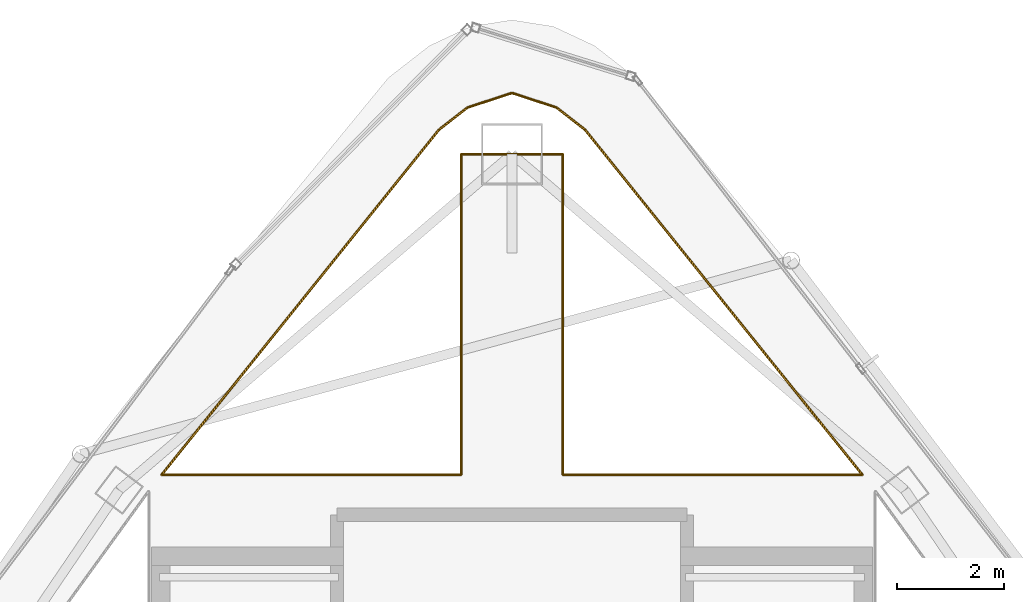
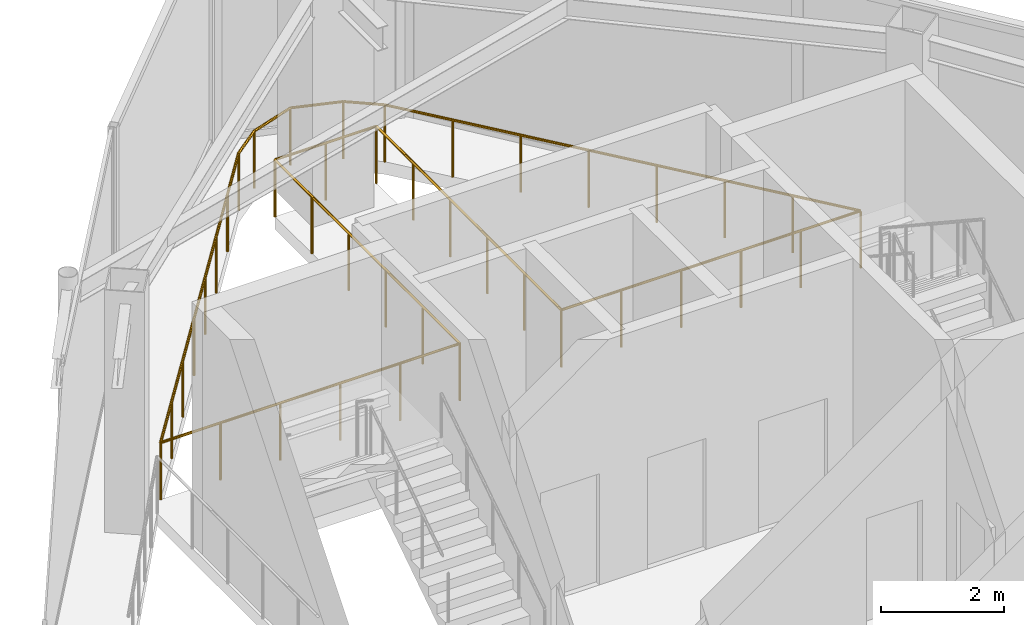
# One storey, part 19 of 19: 1 railing.
"""IFC4 building model written with IfcOpenShell, lengths in metres."""

from ifc_helpers import new_model, si_unit, direction, frame, origin, origin_2d, place, context, subcontext, project, spatial, circle, extrude, material, type_object, element, save


model = new_model("IFC4")

# Units and contexts
model_context = context("Model", 3, precision=1e-05, world=origin(), true_north=direction((0.0, 1.0)))
body_context = subcontext(model_context, "Body", "Model", "MODEL_VIEW")
ifc_project = project(units=[si_unit("LENGTHUNIT", "METRE"), si_unit("AREAUNIT", "SQUARE_METRE"), si_unit("VOLUMEUNIT", "CUBIC_METRE"), si_unit("PLANEANGLEUNIT", "RADIAN"), si_unit("MASSUNIT", "GRAM", prefix="KILO")], contexts=[model_context])

# Site, building, storey
site_placement = place(None, origin())
site = spatial("IfcSite", under=ifc_project, at=site_placement, CompositionType="ELEMENT")
building_placement = place(site_placement, origin())
building = spatial("IfcBuilding", under=site, at=building_placement, Name="Orvanel Arch Residences", CompositionType="ELEMENT")
storey_placement = place(building_placement, frame((0.0, 0.0, 286.10009765625)))
storey = spatial("IfcBuildingStorey", under=building, at=storey_placement, Name="L81", CompositionType="ELEMENT", Elevation=286.10009765625)

# Railing
ifc_material = material(Name="Bronze-anodised aluminium AA6063-T6", Category="aluminium")
railing_type = type_object("IfcRailingType", Name="RL-ATR-1150", PredefinedType="BALUSTRADE", material=ifc_material)
railing_placement = place(storey_placement, frame((39.554931640625, 35.39990234375, 0.0)))
element("IfcRailing", 1, at=railing_placement, inside=storey, type_object=railing_type, Name="L81 Crown Conservatory Void 1 Balustrade", PredefinedType="BALUSTRADE", context=body_context, shape_type="SweptSolid", body=[
    extrude(circle(Radius=0.02392578125, at=origin_2d()), frame((-0.00146484375, 0.0, 1.1259765625), z_axis=(-1.0, 0.0, 0.0), x_axis=(0.0, -1.0, 0.0)), (0.0, 0.0, 1.0), 5.60205078125),
    extrude(circle(Radius=0.02392578125, at=origin_2d()), frame((-5.60498046875, 0.00146484375, 1.1259765625), z_axis=(0.0, 1.0, 0.0), x_axis=(-1.0, 0.0, 0.0)), (0.0, 0.0, 1.0), 5.9951171875),
    extrude(circle(Radius=0.02392578125, at=origin_2d()), frame((-5.6064453125, 5.998046875, 1.1259765625), z_axis=(-1.0, 0.0, 0.0), x_axis=(0.0, -1.0, 0.0)), (0.0, 0.0, 1.0), 1.89697265625),
    extrude(circle(Radius=0.02392578125, at=origin_2d()), frame((-7.5048828125, 5.99658203125, 1.1259765625), z_axis=(0.0, -1.0, 0.0), x_axis=(1.0, 0.0, 0.0)), (0.0, 0.0, 1.0), 5.9951171875),
    extrude(circle(Radius=0.02392578125, at=origin_2d()), frame((-7.50634765625, 0.0, 1.1259765625), z_axis=(-1.0, 0.0, 0.0), x_axis=(0.0, -1.0, 0.0)), (0.0, 0.0, 1.0), 5.60205078125),
    extrude(circle(Radius=0.02392578125, at=origin_2d()), frame((-13.10888671875, 0.001220703125, 1.1259765625), z_axis=(0.626455081924, 0.779457523109, 0.0), x_axis=(-0.779457523109, 0.626455081924, 0.0)), (0.0, 0.0, 1.0), 8.278564453125),
    extrude(circle(Radius=0.02392578125, at=origin_2d()), frame((-7.920654296875, 6.4560546875, 1.1259765625), z_axis=(0.788982312602, 0.614415909951, 0.0), x_axis=(-0.614415909951, 0.788982312602, 0.0)), (0.0, 0.0, 1.0), 0.672607421875),
    extrude(circle(Radius=0.02392578125, at=origin_2d()), frame((-7.387451171875, 6.87060546875, 1.1259765625), z_axis=(0.950394138298, 0.311048198658, 0.0), x_axis=(-0.311048198658, 0.950394138298, 0.0)), (0.0, 0.0, 1.0), 0.87451171875),
    extrude(circle(Radius=0.02392578125, at=origin_2d()), frame((-6.553466796875, 7.142578125, 1.1259765625), z_axis=(0.950394138298, -0.311048198658, 0.0), x_axis=(0.311048198658, 0.950394138298, 0.0)), (0.0, 0.0, 1.0), 0.87451171875),
    extrude(circle(Radius=0.02392578125, at=origin_2d()), frame((-5.7197265625, 6.869140625, 1.1259765625), z_axis=(0.788982312602, -0.614415909951, 0.0), x_axis=(0.614415909951, 0.788982312602, 0.0)), (0.0, 0.0, 1.0), 0.672607421875),
    extrude(circle(Radius=0.02392578125, at=origin_2d()), frame((-5.18701171875, 6.453857421875, 1.1259765625), z_axis=(0.626455081924, -0.779457523109, 0.0), x_axis=(0.779457523109, 0.626455081924, 0.0)), (0.0, 0.0, 1.0), 8.278564453125),
    extrude(circle(Radius=0.02099609375, at=origin_2d()), origin(), (0.0, 0.0, 1.0), 1.099853515625),
    extrude(circle(Radius=0.02099609375, at=origin_2d()), frame((-1.12109375, 0.0, 0.0)), (0.0, 0.0, 1.0), 1.099853515625),
    extrude(circle(Radius=0.02099609375, at=origin_2d()), frame((-2.241943359375, 0.0, 0.0)), (0.0, 0.0, 1.0), 1.099853515625),
    extrude(circle(Radius=0.02099609375, at=origin_2d()), frame((-3.363037109375, 0.0, 0.0)), (0.0, 0.0, 1.0), 1.099853515625),
    extrude(circle(Radius=0.02099609375, at=origin_2d()), frame((-4.48388671875, 0.0, 0.0)), (0.0, 0.0, 1.0), 1.099853515625),
    extrude(circle(Radius=0.02099609375, at=origin_2d()), frame((-5.60498046875, 0.0, 0.0)), (0.0, 0.0, 1.0), 1.099853515625),
    extrude(circle(Radius=0.02099609375, at=origin_2d()), frame((-5.60498046875, 1.19970703125, 0.0)), (0.0, 0.0, 1.0), 1.099853515625),
    extrude(circle(Radius=0.02099609375, at=origin_2d()), frame((-5.60498046875, 2.399169921875, 0.0)), (0.0, 0.0, 1.0), 1.099853515625),
    extrude(circle(Radius=0.02099609375, at=origin_2d()), frame((-5.60498046875, 3.598876953125, 0.0)), (0.0, 0.0, 1.0), 1.099853515625),
    extrude(circle(Radius=0.02099609375, at=origin_2d()), frame((-5.60498046875, 4.79833984375, 0.0)), (0.0, 0.0, 1.0), 1.099853515625),
    extrude(circle(Radius=0.02099609375, at=origin_2d()), frame((-5.60498046875, 5.998046875, 0.0)), (0.0, 0.0, 1.0), 1.099853515625),
    extrude(circle(Radius=0.02099609375, at=origin_2d()), frame((-6.554931640625, 5.998046875, 0.0)), (0.0, 0.0, 1.0), 1.099853515625),
    extrude(circle(Radius=0.02099609375, at=origin_2d()), frame((-7.5048828125, 5.998046875, 0.0)), (0.0, 0.0, 1.0), 1.099853515625),
    extrude(circle(Radius=0.02099609375, at=origin_2d()), frame((-7.5048828125, 4.79833984375, 0.0)), (0.0, 0.0, 1.0), 1.099853515625),
    extrude(circle(Radius=0.02099609375, at=origin_2d()), frame((-7.5048828125, 3.598876953125, 0.0)), (0.0, 0.0, 1.0), 1.099853515625),
    extrude(circle(Radius=0.02099609375, at=origin_2d()), frame((-7.5048828125, 2.399169921875, 0.0)), (0.0, 0.0, 1.0), 1.099853515625),
    extrude(circle(Radius=0.02099609375, at=origin_2d()), frame((-7.5048828125, 1.19970703125, 0.0)), (0.0, 0.0, 1.0), 1.099853515625),
    extrude(circle(Radius=0.02099609375, at=origin_2d()), frame((-7.5048828125, 0.0, 0.0)), (0.0, 0.0, 1.0), 1.099853515625),
    extrude(circle(Radius=0.02099609375, at=origin_2d()), frame((-8.6259765625, 0.0, 0.0)), (0.0, 0.0, 1.0), 1.099853515625),
    extrude(circle(Radius=0.02099609375, at=origin_2d()), frame((-9.746826171875, 0.0, 0.0)), (0.0, 0.0, 1.0), 1.099853515625),
    extrude(circle(Radius=0.02099609375, at=origin_2d()), frame((-10.867919921875, 0.0, 0.0)), (0.0, 0.0, 1.0), 1.099853515625),
    extrude(circle(Radius=0.02099609375, at=origin_2d()), frame((-11.98876953125, 0.0, 0.0)), (0.0, 0.0, 1.0), 1.099853515625),
    extrude(circle(Radius=0.02099609375, at=origin_2d()), frame((-13.10986328125, 0.0, 0.0)), (0.0, 0.0, 1.0), 1.099853515625),
    extrude(circle(Radius=0.02099609375, at=origin_2d()), frame((-12.36865234375, 0.922119140625, 0.0)), (0.0, 0.0, 1.0), 1.099853515625),
    extrude(circle(Radius=0.02099609375, at=origin_2d()), frame((-11.627685546875, 1.84423828125, 0.0)), (0.0, 0.0, 1.0), 1.099853515625),
    extrude(circle(Radius=0.02099609375, at=origin_2d()), frame((-10.886474609375, 2.766357421875, 0.0)), (0.0, 0.0, 1.0), 1.099853515625),
    extrude(circle(Radius=0.02099609375, at=origin_2d()), frame((-10.145263671875, 3.688720703125, 0.0)), (0.0, 0.0, 1.0), 1.099853515625),
    extrude(circle(Radius=0.02099609375, at=origin_2d()), frame((-9.404052734375, 4.61083984375, 0.0)), (0.0, 0.0, 1.0), 1.099853515625),
    extrude(circle(Radius=0.02099609375, at=origin_2d()), frame((-8.6630859375, 5.532958984375, 0.0)), (0.0, 0.0, 1.0), 1.099853515625),
    extrude(circle(Radius=0.02099609375, at=origin_2d()), frame((-7.921875, 6.455078125, 0.0)), (0.0, 0.0, 1.0), 1.099853515625),
    extrude(circle(Radius=0.02099609375, at=origin_2d()), frame((-7.388916015625, 6.8701171875, 0.0)), (0.0, 0.0, 1.0), 1.099853515625),
    extrude(circle(Radius=0.02099609375, at=origin_2d()), frame((-6.554931640625, 7.14306640625, 0.0)), (0.0, 0.0, 1.0), 1.099853515625),
    extrude(circle(Radius=0.02099609375, at=origin_2d()), frame((-5.720947265625, 6.8701171875, 0.0)), (0.0, 0.0, 1.0), 1.099853515625),
    extrude(circle(Radius=0.02099609375, at=origin_2d()), frame((-5.18798828125, 6.455078125, 0.0)), (0.0, 0.0, 1.0), 1.099853515625),
    extrude(circle(Radius=0.02099609375, at=origin_2d()), frame((-4.44677734375, 5.532958984375, 0.0)), (0.0, 0.0, 1.0), 1.099853515625),
    extrude(circle(Radius=0.02099609375, at=origin_2d()), frame((-3.705810546875, 4.61083984375, 0.0)), (0.0, 0.0, 1.0), 1.099853515625),
    extrude(circle(Radius=0.02099609375, at=origin_2d()), frame((-2.964599609375, 3.688720703125, 0.0)), (0.0, 0.0, 1.0), 1.099853515625),
    extrude(circle(Radius=0.02099609375, at=origin_2d()), frame((-2.223388671875, 2.766357421875, 0.0)), (0.0, 0.0, 1.0), 1.099853515625),
    extrude(circle(Radius=0.02099609375, at=origin_2d()), frame((-1.482177734375, 1.84423828125, 0.0)), (0.0, 0.0, 1.0), 1.099853515625),
    extrude(circle(Radius=0.02099609375, at=origin_2d()), frame((-0.7412109375, 0.922119140625, 0.0)), (0.0, 0.0, 1.0), 1.099853515625),
])

save(model, "model.ifc")
